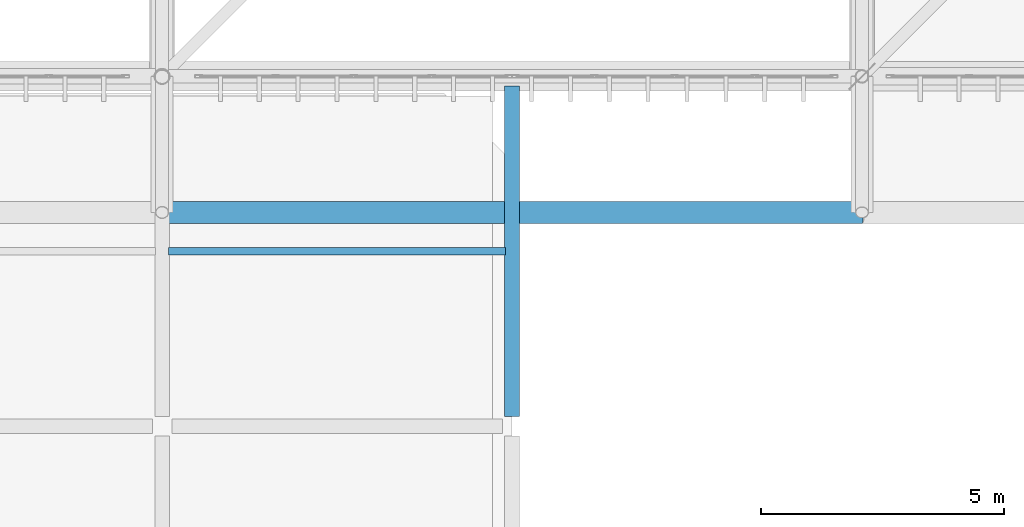
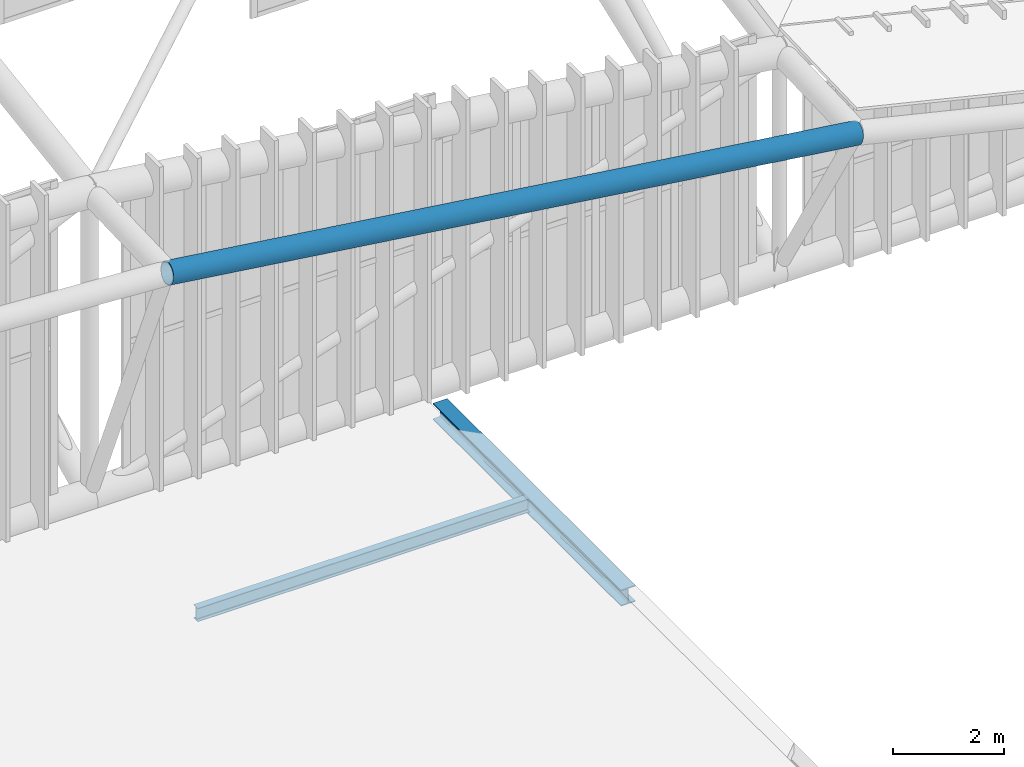
# One storey, part 84 of 397: 3 beams.
"""IFC4 building model written with IfcOpenShell, lengths in metres."""

from ifc_helpers import new_model, si_unit, direction, frame, origin, origin_2d, place, context, subcontext, project, spatial, hollow_circle, i_section, extrude, material, material_profile, profile_set, type_object, element, save


model = new_model("IFC4")

# Units and contexts
model_context = context("Model", 3, precision=1e-05, world=origin(), true_north=direction((0.0, 1.0)))
body_context = subcontext(model_context, "Body", "Model", "MODEL_VIEW")
ifc_project = project(units=[si_unit("LENGTHUNIT", "METRE"), si_unit("AREAUNIT", "SQUARE_METRE"), si_unit("VOLUMEUNIT", "CUBIC_METRE"), si_unit("PLANEANGLEUNIT", "RADIAN"), si_unit("MASSUNIT", "GRAM", prefix="KILO")], contexts=[model_context])

# Site, building, storey
site_placement = place(None, origin())
site = spatial("IfcSite", under=ifc_project, at=site_placement, CompositionType="ELEMENT")
building_placement = place(site_placement, origin())
building = spatial("IfcBuilding", under=site, at=building_placement, Name="Qandorah Velis Arena", CompositionType="ELEMENT")
storey_placement = place(building_placement, frame((0.0, 0.0, 27.5)))
storey = spatial("IfcBuildingStorey", under=building, at=storey_placement, Name="RF", CompositionType="ELEMENT", Elevation=27.5)

# Beams
ifc_material = material(Name="Steel S355", Category="steel")
ifc_material_profile_1 = material_profile(ifc_material, i_section(OverallWidth=0.300048828125, OverallDepth=0.360107421875, WebThickness=0.012451171875, FlangeThickness=0.0224609375, FilletRadius=0.027099609375, at=origin_2d()), Name="HEB 360")
ifc_profile_set_1 = profile_set([ifc_material_profile_1], Name="Steel S355")
beam_type_1 = type_object("IfcBeamType", Name="STR-BM-HEB360", PredefinedType="BEAM", material=ifc_profile_set_1)
beam_1_placement = place(storey_placement, frame((93.60009765625, 7.39990234375, -0.39990234375), z_axis=(0.0, 1.0, 0.0), x_axis=(-1.0, 0.0, 0.0)))
element("IfcBeam", 1, at=beam_1_placement, inside=storey, type_object=beam_type_1, Name="Primary floor girder RF Y-124", PredefinedType="BEAM", context=body_context, shape_type="SweptSolid", body=[
    extrude(i_section(OverallWidth=0.300048828125, OverallDepth=0.360107421875, WebThickness=0.012451171875, FlangeThickness=0.0224609375, FilletRadius=0.027099609375, at=origin_2d()), origin(), (0.0, 0.0, 1.0), 6.800048828125),
])
ifc_material_profile_2 = material_profile(ifc_material, i_section(OverallWidth=0.14990234375, OverallDepth=0.300048828125, WebThickness=0.007080078125, FlangeThickness=0.0107421875, FilletRadius=0.014892578125, at=origin_2d()), Name="IPE 300")
ifc_profile_set_2 = profile_set([ifc_material_profile_2], Name="Steel S355")
beam_type_2 = type_object("IfcBeamType", Name="STR-JST-IPE300", PredefinedType="JOIST", material=ifc_profile_set_2)
beam_2_placement = place(storey_placement, frame((86.534912109375, 10.800048828125, -0.3701171875), z_axis=(1.0, 0.0, 0.0), x_axis=(0.0, 1.0, 0.0)))
element("IfcBeam", 2, at=beam_2_placement, inside=storey, type_object=beam_type_2, Name="Secondary floor joist RF-046", PredefinedType="JOIST", context=body_context, shape_type="SweptSolid", body=[
    extrude(i_section(OverallWidth=0.14990234375, OverallDepth=0.300048828125, WebThickness=0.007080078125, FlangeThickness=0.0107421875, FilletRadius=0.014892578125, at=origin_2d()), origin(), (0.0, 0.0, 1.0), 6.93017578125),
])
ifc_material_profile_3 = material_profile(ifc_material, hollow_circle(Radius=0.228515625, WallThickness=0.01611328125, at=origin_2d()), Name="CHS 457x16")
ifc_profile_set_3 = profile_set([ifc_material_profile_3], Name="Steel S355")
beam_type_3 = type_object("IfcBeamType", Name="STR-SFC-CHS457X16", PredefinedType="USERDEFINED", material=ifc_profile_set_3)
beam_3_placement = place(storey_placement, frame((86.39990234375, 11.60009765625, 6.69921875), z_axis=(0.990980554849, 0.0, -0.134005745816), x_axis=(0.0, 1.0, 0.0)))
element("IfcBeam", 3, at=beam_3_placement, inside=storey, type_object=beam_type_3, Name="Space frame eave fascia ring S-5", ObjectType="ROOF TRUSS", PredefinedType="USERDEFINED", context=body_context, shape_type="SweptSolid", body=[
    extrude(hollow_circle(Radius=0.228515625, WallThickness=0.01611328125, at=origin_2d()), origin(), (0.0, 0.0, 1.0), 14.53125),
])

save(model, "model.ifc")
